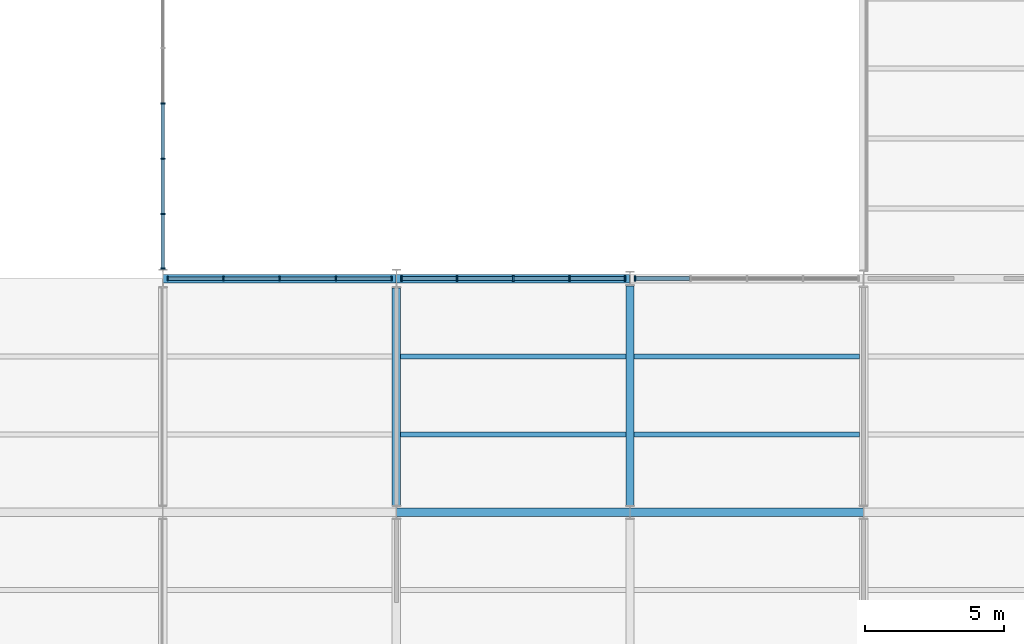
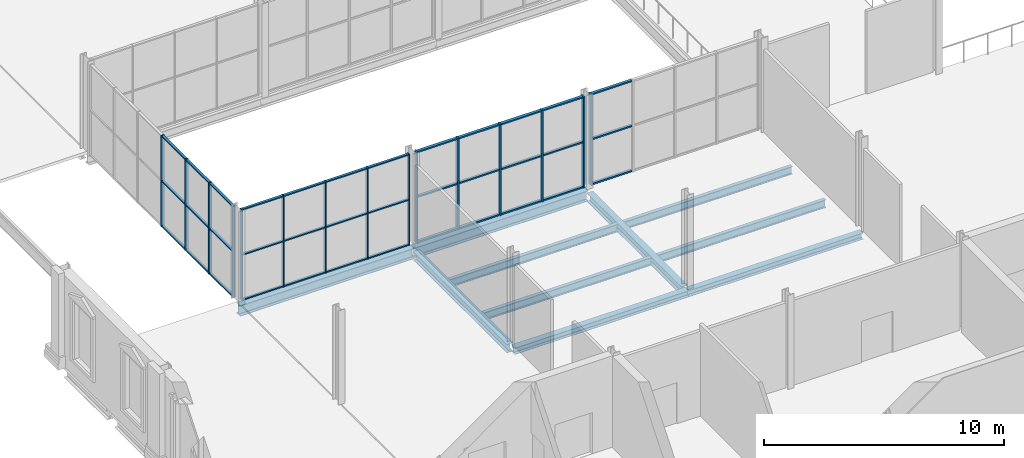
# One storey, part 10 of 61: 51 members, 10 beams, 4 elements without a shape of their own.
"""IFC4 building model written with IfcOpenShell, lengths in metres."""

from ifc_helpers import new_model, si_unit, direction, frame, origin, origin_2d, place, context, subcontext, project, spatial, rectangle, i_section, extrude, material, layer, layer_set, material_profile, profile_set, type_object, element, aggregate, save


model = new_model("IFC4")

# Units and contexts
model_context = context("Model", 3, precision=1e-05, world=origin(), true_north=direction((0.0, 1.0)))
body_context = subcontext(model_context, "Body", "Model", "MODEL_VIEW")
ifc_project = project(units=[si_unit("LENGTHUNIT", "METRE"), si_unit("AREAUNIT", "SQUARE_METRE"), si_unit("VOLUMEUNIT", "CUBIC_METRE"), si_unit("PLANEANGLEUNIT", "RADIAN"), si_unit("MASSUNIT", "GRAM", prefix="KILO")], contexts=[model_context])

# Site, building, storey
site_placement = place(None, origin())
site = spatial("IfcSite", under=ifc_project, at=site_placement, CompositionType="ELEMENT")
building_placement = place(site_placement, origin())
building = spatial("IfcBuilding", under=site, at=building_placement, Name="Galleria Vessillo Department Store", CompositionType="ELEMENT")
storey_placement = place(building_placement, frame((0.0, 0.0, 11.39990234375)))
storey = spatial("IfcBuildingStorey", under=building, at=storey_placement, Name="L02", CompositionType="ELEMENT", Elevation=11.39990234375)

# Curtain wall, members
ifc_material_1 = material(Name="Aluminium and glass curtain wall", Category="aluminium")
ifc_layer_1 = layer(ifc_material_1, 0.159912109375)
ifc_layer_set_1 = layer_set([ifc_layer_1], Name="Aluminium and glass curtain wall")
curtain_wall_type_1 = type_object("IfcCurtainWallType", Name="Arcade portal glazing CW2 2100 module", PredefinedType="NOTDEFINED", material=ifc_layer_set_1)
curtain_wall_1_placement = place(storey_placement, origin())
curtain_wall_1 = element("IfcCurtainWall", 1, at=curtain_wall_1_placement, inside=storey, type_object=curtain_wall_type_1, Name="Arcade portal glazing CW2 2100 module PW-W-S-L02-01", PredefinedType="NOTDEFINED")
ifc_material_2 = material(Name="Aluminium alloy 6063 T6", Category="aluminium")
ifc_material_profile_1 = material_profile(ifc_material_2, rectangle(XDim=0.159912109375, YDim=0.050048828125, at=origin_2d()), Name="AL 50x160")
ifc_profile_set_1 = profile_set([ifc_material_profile_1], Name="Aluminium alloy 6063 T6")
member_type_1 = type_object("IfcMemberType", Name="Aluminium mullion 50 x 160", PredefinedType="MULLION", material=ifc_profile_set_1)
member_1_placement = place(storey_placement, frame((8.577392578125, 25.199951171875, 0.0), z_axis=(0.0, 0.0, 1.0), x_axis=(0.0, 1.0, 0.0)))
member_1 = element("IfcMember", 2, at=member_1_placement, type_object=member_type_1, Name="CW2 mullion 1", PredefinedType="MULLION", context=body_context, shape_type="SweptSolid", body=[
    extrude(rectangle(XDim=0.159912109375, YDim=0.050048828125, at=origin_2d()), origin(), (0.0, 0.0, 1.0), 4.650146484375),
])
member_2_placement = place(storey_placement, frame((10.576171875, 25.199951171875, 0.0), z_axis=(0.0, 0.0, 1.0), x_axis=(0.0, 1.0, 0.0)))
member_2 = element("IfcMember", 3, at=member_2_placement, type_object=member_type_1, Name="CW2 mullion 2", PredefinedType="MULLION", context=body_context, shape_type="SweptSolid", body=[
    extrude(rectangle(XDim=0.159912109375, YDim=0.050048828125, at=origin_2d()), origin(), (0.0, 0.0, 1.0), 4.650146484375),
])
member_3_placement = place(storey_placement, frame((12.60009765625, 25.199951171875, 0.0), z_axis=(0.0, 0.0, 1.0), x_axis=(0.0, 1.0, 0.0)))
member_3 = element("IfcMember", 4, at=member_3_placement, type_object=member_type_1, Name="CW2 mullion 3", PredefinedType="MULLION", context=body_context, shape_type="SweptSolid", body=[
    extrude(rectangle(XDim=0.159912109375, YDim=0.050048828125, at=origin_2d()), origin(), (0.0, 0.0, 1.0), 4.650146484375),
])
member_4_placement = place(storey_placement, frame((14.623779296875, 25.199951171875, 0.0), z_axis=(0.0, 0.0, 1.0), x_axis=(0.0, 1.0, 0.0)))
member_4 = element("IfcMember", 5, at=member_4_placement, type_object=member_type_1, Name="CW2 mullion 4", PredefinedType="MULLION", context=body_context, shape_type="SweptSolid", body=[
    extrude(rectangle(XDim=0.159912109375, YDim=0.050048828125, at=origin_2d()), origin(), (0.0, 0.0, 1.0), 4.650146484375),
])
member_5_placement = place(storey_placement, frame((16.62255859375, 25.199951171875, 0.0), z_axis=(0.0, 0.0, 1.0), x_axis=(0.0, 1.0, 0.0)))
member_5 = element("IfcMember", 6, at=member_5_placement, type_object=member_type_1, Name="CW2 mullion 5", PredefinedType="MULLION", context=body_context, shape_type="SweptSolid", body=[
    extrude(rectangle(XDim=0.159912109375, YDim=0.050048828125, at=origin_2d()), origin(), (0.0, 0.0, 1.0), 4.650146484375),
])

curtain_wall_2_placement = place(storey_placement, origin())
curtain_wall_2 = element("IfcCurtainWall", 7, at=curtain_wall_2_placement, inside=storey, type_object=curtain_wall_type_1, Name="Arcade portal glazing CW2 2100 module SCR-W-L02-01", PredefinedType="NOTDEFINED")
member_6_placement = place(storey_placement, frame((8.39990234375, 25.558837890625, 0.0), z_axis=(0.0, 0.0, 1.0), x_axis=(-1.0, 0.0, 0.0)))
member_6 = element("IfcMember", 8, at=member_6_placement, type_object=member_type_1, Name="CW2 mullion 1", PredefinedType="MULLION", context=body_context, shape_type="SweptSolid", body=[
    extrude(rectangle(XDim=0.159912109375, YDim=0.050048828125, at=origin_2d()), origin(), (0.0, 0.0, 1.0), 4.650146484375),
])
member_7_placement = place(storey_placement, frame((8.39990234375, 27.522705078125, 0.0), z_axis=(0.0, 0.0, 1.0), x_axis=(-1.0, 0.0, 0.0)))
member_7 = element("IfcMember", 9, at=member_7_placement, type_object=member_type_1, Name="CW2 mullion 2", PredefinedType="MULLION", context=body_context, shape_type="SweptSolid", body=[
    extrude(rectangle(XDim=0.159912109375, YDim=0.050048828125, at=origin_2d()), origin(), (0.0, 0.0, 1.0), 4.650146484375),
])
member_8_placement = place(storey_placement, frame((8.39990234375, 29.51123046875, 0.0), z_axis=(0.0, 0.0, 1.0), x_axis=(-1.0, 0.0, 0.0)))
member_8 = element("IfcMember", 10, at=member_8_placement, type_object=member_type_1, Name="CW2 mullion 3", PredefinedType="MULLION", context=body_context, shape_type="SweptSolid", body=[
    extrude(rectangle(XDim=0.159912109375, YDim=0.050048828125, at=origin_2d()), origin(), (0.0, 0.0, 1.0), 4.650146484375),
])
member_9_placement = place(storey_placement, frame((8.39990234375, 31.5, 0.0), z_axis=(0.0, 0.0, 1.0), x_axis=(-1.0, 0.0, 0.0)))
member_9 = element("IfcMember", 11, at=member_9_placement, type_object=member_type_1, Name="CW2 mullion 4", PredefinedType="MULLION", context=body_context, shape_type="SweptSolid", body=[
    extrude(rectangle(XDim=0.159912109375, YDim=0.050048828125, at=origin_2d()), origin(), (0.0, 0.0, 1.0), 4.650146484375),
])

ifc_material_3 = material(Name="Aluminium and glass curtain wall", Category="aluminium")
ifc_layer_2 = layer(ifc_material_3, 0.199951171875)
ifc_layer_set_2 = layer_set([ifc_layer_2], Name="Aluminium and glass curtain wall")
curtain_wall_type_2 = type_object("IfcCurtainWallType", Name="Arcade curtain wall CW1 2100 module", PredefinedType="NOTDEFINED", material=ifc_layer_set_2)
curtain_wall_3_placement = place(storey_placement, origin())
curtain_wall_3 = element("IfcCurtainWall", 12, at=curtain_wall_3_placement, inside=storey, type_object=curtain_wall_type_2, Name="Arcade curtain wall CW1 2100 module AI-AW-S-L02-01", PredefinedType="NOTDEFINED")
ifc_material_4 = material(Name="Aluminium alloy 6063 T6", Category="aluminium")
ifc_material_profile_2 = material_profile(ifc_material_4, rectangle(XDim=0.199951171875, YDim=0.06005859375, at=origin_2d()), Name="AL 60x200")
ifc_profile_set_2 = profile_set([ifc_material_profile_2], Name="Aluminium alloy 6063 T6")
member_type_2 = type_object("IfcMemberType", Name="Aluminium mullion 60 x 200", PredefinedType="MULLION", material=ifc_profile_set_2)
member_10_placement = place(storey_placement, frame((16.982666015625, 25.199951171875, 0.0), z_axis=(0.0, 0.0, 1.0), x_axis=(0.0, 1.0, 0.0)))
member_10 = element("IfcMember", 13, at=member_10_placement, type_object=member_type_2, Name="CW1 mullion 1", PredefinedType="MULLION", context=body_context, shape_type="SweptSolid", body=[
    extrude(rectangle(XDim=0.199951171875, YDim=0.06005859375, at=origin_2d()), origin(), (0.0, 0.0, 1.0), 4.650146484375),
])
member_11_placement = place(storey_placement, frame((18.97607421875, 25.199951171875, 0.0), z_axis=(0.0, 0.0, 1.0), x_axis=(0.0, 1.0, 0.0)))
member_11 = element("IfcMember", 14, at=member_11_placement, type_object=member_type_2, Name="CW1 mullion 2", PredefinedType="MULLION", context=body_context, shape_type="SweptSolid", body=[
    extrude(rectangle(XDim=0.199951171875, YDim=0.06005859375, at=origin_2d()), origin(), (0.0, 0.0, 1.0), 4.650146484375),
])
member_12_placement = place(storey_placement, frame((20.999755859375, 25.199951171875, 0.0), z_axis=(0.0, 0.0, 1.0), x_axis=(0.0, 1.0, 0.0)))
member_12 = element("IfcMember", 15, at=member_12_placement, type_object=member_type_2, Name="CW1 mullion 3", PredefinedType="MULLION", context=body_context, shape_type="SweptSolid", body=[
    extrude(rectangle(XDim=0.199951171875, YDim=0.06005859375, at=origin_2d()), origin(), (0.0, 0.0, 1.0), 4.650146484375),
])
member_13_placement = place(storey_placement, frame((23.0234375, 25.199951171875, 0.0), z_axis=(0.0, 0.0, 1.0), x_axis=(0.0, 1.0, 0.0)))
member_13 = element("IfcMember", 16, at=member_13_placement, type_object=member_type_2, Name="CW1 mullion 4", PredefinedType="MULLION", context=body_context, shape_type="SweptSolid", body=[
    extrude(rectangle(XDim=0.199951171875, YDim=0.06005859375, at=origin_2d()), origin(), (0.0, 0.0, 1.0), 4.650146484375),
])
member_14_placement = place(storey_placement, frame((25.016845703125, 25.199951171875, 0.0), z_axis=(0.0, 0.0, 1.0), x_axis=(0.0, 1.0, 0.0)))
member_14 = element("IfcMember", 17, at=member_14_placement, type_object=member_type_2, Name="CW1 mullion 5", PredefinedType="MULLION", context=body_context, shape_type="SweptSolid", body=[
    extrude(rectangle(XDim=0.199951171875, YDim=0.06005859375, at=origin_2d()), origin(), (0.0, 0.0, 1.0), 4.650146484375),
])

# Curtain wall, member
curtain_wall_4_placement = place(storey_placement, origin())
curtain_wall_4 = element("IfcCurtainWall", 18, at=curtain_wall_4_placement, inside=storey, type_object=curtain_wall_type_2, Name="Arcade curtain wall CW1 2100 module AI-AW-S-L02-02", PredefinedType="NOTDEFINED")
member_15_placement = place(storey_placement, frame((25.383056640625, 25.199951171875, 0.0), z_axis=(0.0, 0.0, 1.0), x_axis=(0.0, 1.0, 0.0)))
member_15 = element("IfcMember", 19, at=member_15_placement, type_object=member_type_2, Name="CW1 mullion 1", PredefinedType="MULLION", context=body_context, shape_type="SweptSolid", body=[
    extrude(rectangle(XDim=0.199951171875, YDim=0.06005859375, at=origin_2d()), origin(), (0.0, 0.0, 1.0), 4.650146484375),
])

# Member
ifc_material_5 = material(Name="Aluminium alloy 6063 T6", Category="aluminium")
ifc_material_profile_3 = material_profile(ifc_material_5, rectangle(XDim=0.1201171875, YDim=0.06005859375, at=origin_2d()), Name="AL 60x120")
ifc_profile_set_3 = profile_set([ifc_material_profile_3], Name="Aluminium alloy 6063 T6")
member_type_3 = type_object("IfcMemberType", Name="Aluminium transom 60 x 120", PredefinedType="USERDEFINED", material=ifc_profile_set_3)
member_16_placement = place(storey_placement, frame((8.6025390625, 25.199951171875, 0.030029296875), z_axis=(1.0, 0.0, 0.0), x_axis=(0.0, 1.0, 0.0)))
member_16 = element("IfcMember", 20, at=member_16_placement, type_object=member_type_3, Name="CW2 transom 1.1", ObjectType="TRANSOM", PredefinedType="USERDEFINED", context=body_context, shape_type="SweptSolid", body=[
    extrude(rectangle(XDim=0.1201171875, YDim=0.06005859375, at=origin_2d()), origin(), (0.0, 0.0, 1.0), 1.94873046875),
])

member_17_placement = place(storey_placement, frame((8.6025390625, 25.199951171875, 2.3251953125), z_axis=(1.0, 0.0, 0.0), x_axis=(0.0, 1.0, 0.0)))
member_17 = element("IfcMember", 21, at=member_17_placement, type_object=member_type_3, Name="CW2 transom 1.2", ObjectType="TRANSOM", PredefinedType="USERDEFINED", context=body_context, shape_type="SweptSolid", body=[
    extrude(rectangle(XDim=0.1201171875, YDim=0.06005859375, at=origin_2d()), origin(), (0.0, 0.0, 1.0), 1.94873046875),
])

member_18_placement = place(storey_placement, frame((8.6025390625, 25.199951171875, 4.6201171875), z_axis=(1.0, 0.0, 0.0), x_axis=(0.0, 1.0, 0.0)))
member_18 = element("IfcMember", 22, at=member_18_placement, type_object=member_type_3, Name="CW2 transom 1.3", ObjectType="TRANSOM", PredefinedType="USERDEFINED", context=body_context, shape_type="SweptSolid", body=[
    extrude(rectangle(XDim=0.1201171875, YDim=0.06005859375, at=origin_2d()), origin(), (0.0, 0.0, 1.0), 1.94873046875),
])

member_19_placement = place(storey_placement, frame((10.601318359375, 25.199951171875, 0.030029296875), z_axis=(1.0, 0.0, 0.0), x_axis=(0.0, 1.0, 0.0)))
member_19 = element("IfcMember", 23, at=member_19_placement, type_object=member_type_3, Name="CW2 transom 2.1", ObjectType="TRANSOM", PredefinedType="USERDEFINED", context=body_context, shape_type="SweptSolid", body=[
    extrude(rectangle(XDim=0.1201171875, YDim=0.06005859375, at=origin_2d()), origin(), (0.0, 0.0, 1.0), 1.9736328125),
])

member_20_placement = place(storey_placement, frame((10.601318359375, 25.199951171875, 2.3251953125), z_axis=(1.0, 0.0, 0.0), x_axis=(0.0, 1.0, 0.0)))
member_20 = element("IfcMember", 24, at=member_20_placement, type_object=member_type_3, Name="CW2 transom 2.2", ObjectType="TRANSOM", PredefinedType="USERDEFINED", context=body_context, shape_type="SweptSolid", body=[
    extrude(rectangle(XDim=0.1201171875, YDim=0.06005859375, at=origin_2d()), origin(), (0.0, 0.0, 1.0), 1.9736328125),
])

member_21_placement = place(storey_placement, frame((10.601318359375, 25.199951171875, 4.6201171875), z_axis=(1.0, 0.0, 0.0), x_axis=(0.0, 1.0, 0.0)))
member_21 = element("IfcMember", 25, at=member_21_placement, type_object=member_type_3, Name="CW2 transom 2.3", ObjectType="TRANSOM", PredefinedType="USERDEFINED", context=body_context, shape_type="SweptSolid", body=[
    extrude(rectangle(XDim=0.1201171875, YDim=0.06005859375, at=origin_2d()), origin(), (0.0, 0.0, 1.0), 1.9736328125),
])

member_22_placement = place(storey_placement, frame((12.625, 25.199951171875, 0.030029296875), z_axis=(1.0, 0.0, 0.0), x_axis=(0.0, 1.0, 0.0)))
member_22 = element("IfcMember", 26, at=member_22_placement, type_object=member_type_3, Name="CW2 transom 3.1", ObjectType="TRANSOM", PredefinedType="USERDEFINED", context=body_context, shape_type="SweptSolid", body=[
    extrude(rectangle(XDim=0.1201171875, YDim=0.06005859375, at=origin_2d()), origin(), (0.0, 0.0, 1.0), 1.9736328125),
])

member_23_placement = place(storey_placement, frame((12.625, 25.199951171875, 2.3251953125), z_axis=(1.0, 0.0, 0.0), x_axis=(0.0, 1.0, 0.0)))
member_23 = element("IfcMember", 27, at=member_23_placement, type_object=member_type_3, Name="CW2 transom 3.2", ObjectType="TRANSOM", PredefinedType="USERDEFINED", context=body_context, shape_type="SweptSolid", body=[
    extrude(rectangle(XDim=0.1201171875, YDim=0.06005859375, at=origin_2d()), origin(), (0.0, 0.0, 1.0), 1.9736328125),
])

member_24_placement = place(storey_placement, frame((12.625, 25.199951171875, 4.6201171875), z_axis=(1.0, 0.0, 0.0), x_axis=(0.0, 1.0, 0.0)))
member_24 = element("IfcMember", 28, at=member_24_placement, type_object=member_type_3, Name="CW2 transom 3.3", ObjectType="TRANSOM", PredefinedType="USERDEFINED", context=body_context, shape_type="SweptSolid", body=[
    extrude(rectangle(XDim=0.1201171875, YDim=0.06005859375, at=origin_2d()), origin(), (0.0, 0.0, 1.0), 1.9736328125),
])

member_25_placement = place(storey_placement, frame((14.648681640625, 25.199951171875, 0.030029296875), z_axis=(1.0, 0.0, 0.0), x_axis=(0.0, 1.0, 0.0)))
member_25 = element("IfcMember", 29, at=member_25_placement, type_object=member_type_3, Name="CW2 transom 4.1", ObjectType="TRANSOM", PredefinedType="USERDEFINED", context=body_context, shape_type="SweptSolid", body=[
    extrude(rectangle(XDim=0.1201171875, YDim=0.06005859375, at=origin_2d()), origin(), (0.0, 0.0, 1.0), 1.94873046875),
])

member_26_placement = place(storey_placement, frame((14.648681640625, 25.199951171875, 2.3251953125), z_axis=(1.0, 0.0, 0.0), x_axis=(0.0, 1.0, 0.0)))
member_26 = element("IfcMember", 30, at=member_26_placement, type_object=member_type_3, Name="CW2 transom 4.2", ObjectType="TRANSOM", PredefinedType="USERDEFINED", context=body_context, shape_type="SweptSolid", body=[
    extrude(rectangle(XDim=0.1201171875, YDim=0.06005859375, at=origin_2d()), origin(), (0.0, 0.0, 1.0), 1.94873046875),
])

member_27_placement = place(storey_placement, frame((14.648681640625, 25.199951171875, 4.6201171875), z_axis=(1.0, 0.0, 0.0), x_axis=(0.0, 1.0, 0.0)))
member_27 = element("IfcMember", 31, at=member_27_placement, type_object=member_type_3, Name="CW2 transom 4.3", ObjectType="TRANSOM", PredefinedType="USERDEFINED", context=body_context, shape_type="SweptSolid", body=[
    extrude(rectangle(XDim=0.1201171875, YDim=0.06005859375, at=origin_2d()), origin(), (0.0, 0.0, 1.0), 1.94873046875),
])

aggregate(curtain_wall_1, [member_1, member_2, member_3, member_4, member_5, member_16, member_17, member_18, member_19, member_20, member_21, member_22, member_23, member_24, member_25, member_26, member_27])

member_28_placement = place(storey_placement, frame((8.39990234375, 25.583984375, 0.030029296875), z_axis=(0.0, 1.0, 0.0), x_axis=(-1.0, 0.0, 0.0)))
member_28 = element("IfcMember", 32, at=member_28_placement, type_object=member_type_3, Name="CW2 transom 1.1", ObjectType="TRANSOM", PredefinedType="USERDEFINED", context=body_context, shape_type="SweptSolid", body=[
    extrude(rectangle(XDim=0.1201171875, YDim=0.06005859375, at=origin_2d()), origin(), (0.0, 0.0, 1.0), 1.91357421875),
])

member_29_placement = place(storey_placement, frame((8.39990234375, 25.583984375, 2.3251953125), z_axis=(0.0, 1.0, 0.0), x_axis=(-1.0, 0.0, 0.0)))
member_29 = element("IfcMember", 33, at=member_29_placement, type_object=member_type_3, Name="CW2 transom 1.2", ObjectType="TRANSOM", PredefinedType="USERDEFINED", context=body_context, shape_type="SweptSolid", body=[
    extrude(rectangle(XDim=0.1201171875, YDim=0.06005859375, at=origin_2d()), origin(), (0.0, 0.0, 1.0), 1.91357421875),
])

member_30_placement = place(storey_placement, frame((8.39990234375, 25.583984375, 4.6201171875), z_axis=(0.0, 1.0, 0.0), x_axis=(-1.0, 0.0, 0.0)))
member_30 = element("IfcMember", 34, at=member_30_placement, type_object=member_type_3, Name="CW2 transom 1.3", ObjectType="TRANSOM", PredefinedType="USERDEFINED", context=body_context, shape_type="SweptSolid", body=[
    extrude(rectangle(XDim=0.1201171875, YDim=0.06005859375, at=origin_2d()), origin(), (0.0, 0.0, 1.0), 1.91357421875),
])

member_31_placement = place(storey_placement, frame((8.39990234375, 27.547607421875, 0.030029296875), z_axis=(0.0, 1.0, 0.0), x_axis=(-1.0, 0.0, 0.0)))
member_31 = element("IfcMember", 35, at=member_31_placement, type_object=member_type_3, Name="CW2 transom 2.1", ObjectType="TRANSOM", PredefinedType="USERDEFINED", context=body_context, shape_type="SweptSolid", body=[
    extrude(rectangle(XDim=0.1201171875, YDim=0.06005859375, at=origin_2d()), origin(), (0.0, 0.0, 1.0), 1.938720703125),
])

member_32_placement = place(storey_placement, frame((8.39990234375, 27.547607421875, 2.3251953125), z_axis=(0.0, 1.0, 0.0), x_axis=(-1.0, 0.0, 0.0)))
member_32 = element("IfcMember", 36, at=member_32_placement, type_object=member_type_3, Name="CW2 transom 2.2", ObjectType="TRANSOM", PredefinedType="USERDEFINED", context=body_context, shape_type="SweptSolid", body=[
    extrude(rectangle(XDim=0.1201171875, YDim=0.06005859375, at=origin_2d()), origin(), (0.0, 0.0, 1.0), 1.938720703125),
])

member_33_placement = place(storey_placement, frame((8.39990234375, 27.547607421875, 4.6201171875), z_axis=(0.0, 1.0, 0.0), x_axis=(-1.0, 0.0, 0.0)))
member_33 = element("IfcMember", 37, at=member_33_placement, type_object=member_type_3, Name="CW2 transom 2.3", ObjectType="TRANSOM", PredefinedType="USERDEFINED", context=body_context, shape_type="SweptSolid", body=[
    extrude(rectangle(XDim=0.1201171875, YDim=0.06005859375, at=origin_2d()), origin(), (0.0, 0.0, 1.0), 1.938720703125),
])

member_34_placement = place(storey_placement, frame((8.39990234375, 29.536376953125, 0.030029296875), z_axis=(0.0, 1.0, 0.0), x_axis=(-1.0, 0.0, 0.0)))
member_34 = element("IfcMember", 38, at=member_34_placement, type_object=member_type_3, Name="CW2 transom 3.1", ObjectType="TRANSOM", PredefinedType="USERDEFINED", context=body_context, shape_type="SweptSolid", body=[
    extrude(rectangle(XDim=0.1201171875, YDim=0.06005859375, at=origin_2d()), origin(), (0.0, 0.0, 1.0), 1.938720703125),
])

member_35_placement = place(storey_placement, frame((8.39990234375, 29.536376953125, 2.3251953125), z_axis=(0.0, 1.0, 0.0), x_axis=(-1.0, 0.0, 0.0)))
member_35 = element("IfcMember", 39, at=member_35_placement, type_object=member_type_3, Name="CW2 transom 3.2", ObjectType="TRANSOM", PredefinedType="USERDEFINED", context=body_context, shape_type="SweptSolid", body=[
    extrude(rectangle(XDim=0.1201171875, YDim=0.06005859375, at=origin_2d()), origin(), (0.0, 0.0, 1.0), 1.938720703125),
])

member_36_placement = place(storey_placement, frame((8.39990234375, 29.536376953125, 4.6201171875), z_axis=(0.0, 1.0, 0.0), x_axis=(-1.0, 0.0, 0.0)))
member_36 = element("IfcMember", 40, at=member_36_placement, type_object=member_type_3, Name="CW2 transom 3.3", ObjectType="TRANSOM", PredefinedType="USERDEFINED", context=body_context, shape_type="SweptSolid", body=[
    extrude(rectangle(XDim=0.1201171875, YDim=0.06005859375, at=origin_2d()), origin(), (0.0, 0.0, 1.0), 1.938720703125),
])

aggregate(curtain_wall_2, [member_6, member_7, member_8, member_9, member_28, member_29, member_30, member_31, member_32, member_33, member_34, member_35, member_36])

ifc_material_6 = material(Name="Aluminium alloy 6063 T6", Category="aluminium")
ifc_material_profile_4 = material_profile(ifc_material_6, rectangle(XDim=0.139892578125, YDim=0.070068359375, at=origin_2d()), Name="AL 70x140")
ifc_profile_set_4 = profile_set([ifc_material_profile_4], Name="Aluminium alloy 6063 T6")
member_type_4 = type_object("IfcMemberType", Name="Aluminium transom 70 x 140", PredefinedType="USERDEFINED", material=ifc_profile_set_4)
member_37_placement = place(storey_placement, frame((17.0126953125, 25.199951171875, 0.034912109375), z_axis=(1.0, 0.0, 0.0), x_axis=(0.0, 1.0, 0.0)))
member_37 = element("IfcMember", 41, at=member_37_placement, type_object=member_type_4, Name="CW1 transom 1.1", ObjectType="TRANSOM", PredefinedType="USERDEFINED", context=body_context, shape_type="SweptSolid", body=[
    extrude(rectangle(XDim=0.139892578125, YDim=0.070068359375, at=origin_2d()), origin(), (0.0, 0.0, 1.0), 1.93359375),
])

member_38_placement = place(storey_placement, frame((17.0126953125, 25.199951171875, 2.3251953125), z_axis=(1.0, 0.0, 0.0), x_axis=(0.0, 1.0, 0.0)))
member_38 = element("IfcMember", 42, at=member_38_placement, type_object=member_type_4, Name="CW1 transom 1.2", ObjectType="TRANSOM", PredefinedType="USERDEFINED", context=body_context, shape_type="SweptSolid", body=[
    extrude(rectangle(XDim=0.139892578125, YDim=0.070068359375, at=origin_2d()), origin(), (0.0, 0.0, 1.0), 1.93359375),
])

member_39_placement = place(storey_placement, frame((17.0126953125, 25.199951171875, 4.615234375), z_axis=(1.0, 0.0, 0.0), x_axis=(0.0, 1.0, 0.0)))
member_39 = element("IfcMember", 43, at=member_39_placement, type_object=member_type_4, Name="CW1 transom 1.3", ObjectType="TRANSOM", PredefinedType="USERDEFINED", context=body_context, shape_type="SweptSolid", body=[
    extrude(rectangle(XDim=0.139892578125, YDim=0.070068359375, at=origin_2d()), origin(), (0.0, 0.0, 1.0), 1.93359375),
])

member_40_placement = place(storey_placement, frame((19.006103515625, 25.199951171875, 0.034912109375), z_axis=(1.0, 0.0, 0.0), x_axis=(0.0, 1.0, 0.0)))
member_40 = element("IfcMember", 44, at=member_40_placement, type_object=member_type_4, Name="CW1 transom 2.1", ObjectType="TRANSOM", PredefinedType="USERDEFINED", context=body_context, shape_type="SweptSolid", body=[
    extrude(rectangle(XDim=0.139892578125, YDim=0.070068359375, at=origin_2d()), origin(), (0.0, 0.0, 1.0), 1.963623046875),
])

member_41_placement = place(storey_placement, frame((19.006103515625, 25.199951171875, 2.3251953125), z_axis=(1.0, 0.0, 0.0), x_axis=(0.0, 1.0, 0.0)))
member_41 = element("IfcMember", 45, at=member_41_placement, type_object=member_type_4, Name="CW1 transom 2.2", ObjectType="TRANSOM", PredefinedType="USERDEFINED", context=body_context, shape_type="SweptSolid", body=[
    extrude(rectangle(XDim=0.139892578125, YDim=0.070068359375, at=origin_2d()), origin(), (0.0, 0.0, 1.0), 1.963623046875),
])

member_42_placement = place(storey_placement, frame((19.006103515625, 25.199951171875, 4.615234375), z_axis=(1.0, 0.0, 0.0), x_axis=(0.0, 1.0, 0.0)))
member_42 = element("IfcMember", 46, at=member_42_placement, type_object=member_type_4, Name="CW1 transom 2.3", ObjectType="TRANSOM", PredefinedType="USERDEFINED", context=body_context, shape_type="SweptSolid", body=[
    extrude(rectangle(XDim=0.139892578125, YDim=0.070068359375, at=origin_2d()), origin(), (0.0, 0.0, 1.0), 1.963623046875),
])

member_43_placement = place(storey_placement, frame((21.02978515625, 25.199951171875, 0.034912109375), z_axis=(1.0, 0.0, 0.0), x_axis=(0.0, 1.0, 0.0)))
member_43 = element("IfcMember", 47, at=member_43_placement, type_object=member_type_4, Name="CW1 transom 3.1", ObjectType="TRANSOM", PredefinedType="USERDEFINED", context=body_context, shape_type="SweptSolid", body=[
    extrude(rectangle(XDim=0.139892578125, YDim=0.070068359375, at=origin_2d()), origin(), (0.0, 0.0, 1.0), 1.963623046875),
])

member_44_placement = place(storey_placement, frame((21.02978515625, 25.199951171875, 2.3251953125), z_axis=(1.0, 0.0, 0.0), x_axis=(0.0, 1.0, 0.0)))
member_44 = element("IfcMember", 48, at=member_44_placement, type_object=member_type_4, Name="CW1 transom 3.2", ObjectType="TRANSOM", PredefinedType="USERDEFINED", context=body_context, shape_type="SweptSolid", body=[
    extrude(rectangle(XDim=0.139892578125, YDim=0.070068359375, at=origin_2d()), origin(), (0.0, 0.0, 1.0), 1.963623046875),
])

member_45_placement = place(storey_placement, frame((21.02978515625, 25.199951171875, 4.615234375), z_axis=(1.0, 0.0, 0.0), x_axis=(0.0, 1.0, 0.0)))
member_45 = element("IfcMember", 49, at=member_45_placement, type_object=member_type_4, Name="CW1 transom 3.3", ObjectType="TRANSOM", PredefinedType="USERDEFINED", context=body_context, shape_type="SweptSolid", body=[
    extrude(rectangle(XDim=0.139892578125, YDim=0.070068359375, at=origin_2d()), origin(), (0.0, 0.0, 1.0), 1.963623046875),
])

member_46_placement = place(storey_placement, frame((23.05322265625, 25.199951171875, 0.034912109375), z_axis=(1.0, 0.0, 0.0), x_axis=(0.0, 1.0, 0.0)))
member_46 = element("IfcMember", 50, at=member_46_placement, type_object=member_type_4, Name="CW1 transom 4.1", ObjectType="TRANSOM", PredefinedType="USERDEFINED", context=body_context, shape_type="SweptSolid", body=[
    extrude(rectangle(XDim=0.139892578125, YDim=0.070068359375, at=origin_2d()), origin(), (0.0, 0.0, 1.0), 1.93359375),
])

member_47_placement = place(storey_placement, frame((23.05322265625, 25.199951171875, 2.3251953125), z_axis=(1.0, 0.0, 0.0), x_axis=(0.0, 1.0, 0.0)))
member_47 = element("IfcMember", 51, at=member_47_placement, type_object=member_type_4, Name="CW1 transom 4.2", ObjectType="TRANSOM", PredefinedType="USERDEFINED", context=body_context, shape_type="SweptSolid", body=[
    extrude(rectangle(XDim=0.139892578125, YDim=0.070068359375, at=origin_2d()), origin(), (0.0, 0.0, 1.0), 1.93359375),
])

member_48_placement = place(storey_placement, frame((23.05322265625, 25.199951171875, 4.615234375), z_axis=(1.0, 0.0, 0.0), x_axis=(0.0, 1.0, 0.0)))
member_48 = element("IfcMember", 52, at=member_48_placement, type_object=member_type_4, Name="CW1 transom 4.3", ObjectType="TRANSOM", PredefinedType="USERDEFINED", context=body_context, shape_type="SweptSolid", body=[
    extrude(rectangle(XDim=0.139892578125, YDim=0.070068359375, at=origin_2d()), origin(), (0.0, 0.0, 1.0), 1.93359375),
])

aggregate(curtain_wall_3, [member_10, member_11, member_12, member_13, member_14, member_37, member_38, member_39, member_40, member_41, member_42, member_43, member_44, member_45, member_46, member_47, member_48])

member_49_placement = place(storey_placement, frame((25.4130859375, 25.199951171875, 0.034912109375), z_axis=(1.0, 0.0, 0.0), x_axis=(0.0, 1.0, 0.0)))
member_49 = element("IfcMember", 53, at=member_49_placement, type_object=member_type_4, Name="CW1 transom 1.1", ObjectType="TRANSOM", PredefinedType="USERDEFINED", context=body_context, shape_type="SweptSolid", body=[
    extrude(rectangle(XDim=0.139892578125, YDim=0.070068359375, at=origin_2d()), origin(), (0.0, 0.0, 1.0), 1.93359375),
])

member_50_placement = place(storey_placement, frame((25.4130859375, 25.199951171875, 2.3251953125), z_axis=(1.0, 0.0, 0.0), x_axis=(0.0, 1.0, 0.0)))
member_50 = element("IfcMember", 54, at=member_50_placement, type_object=member_type_4, Name="CW1 transom 1.2", ObjectType="TRANSOM", PredefinedType="USERDEFINED", context=body_context, shape_type="SweptSolid", body=[
    extrude(rectangle(XDim=0.139892578125, YDim=0.070068359375, at=origin_2d()), origin(), (0.0, 0.0, 1.0), 1.93359375),
])

member_51_placement = place(storey_placement, frame((25.4130859375, 25.199951171875, 4.615234375), z_axis=(1.0, 0.0, 0.0), x_axis=(0.0, 1.0, 0.0)))
member_51 = element("IfcMember", 55, at=member_51_placement, type_object=member_type_4, Name="CW1 transom 1.3", ObjectType="TRANSOM", PredefinedType="USERDEFINED", context=body_context, shape_type="SweptSolid", body=[
    extrude(rectangle(XDim=0.139892578125, YDim=0.070068359375, at=origin_2d()), origin(), (0.0, 0.0, 1.0), 1.93359375),
])

aggregate(curtain_wall_4, [member_15, member_49, member_50, member_51])

# Beams
ifc_material_7 = material(Name="Steel S355 J2", Category="steel")
ifc_material_profile_5 = material_profile(ifc_material_7, i_section(OverallWidth=0.300048828125, OverallDepth=0.43994140625, WebThickness=0.011474609375, FlangeThickness=0.02099609375, FilletRadius=0.027099609375, at=origin_2d()), Name="HEA 450")
ifc_profile_set_5 = profile_set([ifc_material_profile_5], Name="Steel S355 J2")
beam_type_1 = type_object("IfcBeamType", Name="Floor girder HEA 450", PredefinedType="BEAM", material=ifc_profile_set_5)
beam_1_placement = place(storey_placement, frame((16.800048828125, 17.050048828125, -0.369873046875), z_axis=(0.0, 1.0, 0.0), x_axis=(-1.0, 0.0, 0.0)))
element("IfcBeam", 56, at=beam_1_placement, inside=storey, type_object=beam_type_1, Name="S-BM-L02-GI-y16800-17050", PredefinedType="BEAM", context=body_context, shape_type="SweptSolid", body=[
    extrude(i_section(OverallWidth=0.300048828125, OverallDepth=0.43994140625, WebThickness=0.011474609375, FlangeThickness=0.02099609375, FilletRadius=0.027099609375, at=origin_2d()), origin(), (0.0, 0.0, 1.0), 7.81591796875),
])
beam_2_placement = place(storey_placement, frame((25.199951171875, 17.050048828125, -0.369873046875), z_axis=(0.0, 1.0, 0.0), x_axis=(-1.0, 0.0, 0.0)))
element("IfcBeam", 57, at=beam_2_placement, inside=storey, type_object=beam_type_1, Name="S-BM-L02-GI-y25200-17050", PredefinedType="BEAM", context=body_context, shape_type="SweptSolid", body=[
    extrude(i_section(OverallWidth=0.300048828125, OverallDepth=0.43994140625, WebThickness=0.011474609375, FlangeThickness=0.02099609375, FilletRadius=0.027099609375, at=origin_2d()), origin(), (0.0, 0.0, 1.0), 7.887939453125),
])
ifc_material_8 = material(Name="Steel S355 J2", Category="steel")
ifc_material_profile_6 = material_profile(ifc_material_8, i_section(OverallWidth=0.179931640625, OverallDepth=0.39990234375, WebThickness=0.008544921875, FlangeThickness=0.013427734375, FilletRadius=0.02099609375, at=origin_2d()), Name="IPE 400")
ifc_profile_set_6 = profile_set([ifc_material_profile_6], Name="Steel S355 J2")
beam_type_2 = type_object("IfcBeamType", Name="Floor joist IPE 400", PredefinedType="JOIST", material=ifc_profile_set_6)
for number, where, z_axis, x_axis, name in (
    (58, (16.9501953125, 19.60009765625, -0.349853515625), (1.0, 0.0, 0.0), (0.0, 1.0, 0.0), "S-BM-L02-JO-x19600-16950"),
    (59, (16.9501953125, 22.39990234375, -0.349853515625), (1.0, 0.0, 0.0), (0.0, 1.0, 0.0), "S-BM-L02-JO-x22400-16950"),
):
    element("IfcBeam", number, at=place(storey_placement, frame(where, z_axis=z_axis, x_axis=x_axis)), inside=storey, type_object=beam_type_2, Name=name, PredefinedType="JOIST", context=body_context, shape_type="SweptSolid", body=[
        extrude(i_section(OverallWidth=0.179931640625, OverallDepth=0.39990234375, WebThickness=0.008544921875, FlangeThickness=0.013427734375, FilletRadius=0.02099609375, at=origin_2d()), origin(), (0.0, 0.0, 1.0), 8.099609375),
    ])
for number, where, z_axis, x_axis, name in (
    (60, (25.35009765625, 19.60009765625, -0.349853515625), (1.0, 0.0, 0.0), (0.0, 1.0, 0.0), "S-BM-L02-JO-x19600-25350"),
    (61, (25.35009765625, 22.39990234375, -0.349853515625), (1.0, 0.0, 0.0), (0.0, 1.0, 0.0), "S-BM-L02-JO-x22400-25350"),
):
    element("IfcBeam", number, at=place(storey_placement, frame(where, z_axis=z_axis, x_axis=x_axis)), inside=storey, type_object=beam_type_2, Name=name, PredefinedType="JOIST", context=body_context, shape_type="SweptSolid", body=[
        extrude(i_section(OverallWidth=0.179931640625, OverallDepth=0.39990234375, WebThickness=0.008544921875, FlangeThickness=0.013427734375, FilletRadius=0.02099609375, at=origin_2d()), origin(), (0.0, 0.0, 1.0), 8.099853515625),
    ])
ifc_material_9 = material(Name="Steel S355 J2", Category="steel")
ifc_material_profile_7 = material_profile(ifc_material_9, i_section(OverallWidth=0.300048828125, OverallDepth=0.330078125, WebThickness=0.009521484375, FlangeThickness=0.0166015625, FilletRadius=0.027099609375, at=origin_2d()), Name="HEA 340")
ifc_profile_set_7 = profile_set([ifc_material_profile_7], Name="Steel S355 J2")
beam_type_3 = type_object("IfcBeamType", Name="Floor tie girder HEA 340", PredefinedType="BEAM", material=ifc_profile_set_7)
for number, where, z_axis, x_axis, name in (
    (62, (16.807373046875, 16.800048828125, -0.31494140625), (1.0, 0.0, 0.0), (0.0, 1.0, 0.0), "S-BM-L02-TI-x16800-16807"),
    (63, (25.207275390625, 16.800048828125, -0.31494140625), (1.0, 0.0, 0.0), (0.0, 1.0, 0.0), "S-BM-L02-TI-x16800-25207"),
):
    element("IfcBeam", number, at=place(storey_placement, frame(where, z_axis=z_axis, x_axis=x_axis)), inside=storey, type_object=beam_type_3, Name=name, PredefinedType="BEAM", context=body_context, shape_type="SweptSolid", body=[
        extrude(i_section(OverallWidth=0.300048828125, OverallDepth=0.330078125, WebThickness=0.009521484375, FlangeThickness=0.0166015625, FilletRadius=0.027099609375, at=origin_2d()), origin(), (0.0, 0.0, 1.0), 8.38525390625),
    ])
ifc_material_10 = material(Name="Steel S355 J2", Category="steel")
ifc_material_profile_8 = material_profile(ifc_material_10, i_section(OverallWidth=0.300048828125, OverallDepth=0.5400390625, WebThickness=0.012451171875, FlangeThickness=0.02392578125, FilletRadius=0.027099609375, at=origin_2d()), Name="HEA 550")
ifc_profile_set_8 = profile_set([ifc_material_profile_8], Name="Steel S355 J2")
beam_type_4 = type_object("IfcBeamType", Name="Trimmer beam HEA 550", PredefinedType="BEAM", material=ifc_profile_set_8)
beam_3_placement = place(storey_placement, frame((8.41064453125, 25.199951171875, -0.419921875), z_axis=(1.0, 0.0, 0.0), x_axis=(0.0, 1.0, 0.0)))
element("IfcBeam", 64, at=beam_3_placement, inside=storey, type_object=beam_type_4, Name="S-BM-L02-TR-x25200-8411", PredefinedType="BEAM", context=body_context, shape_type="SweptSolid", body=[
    extrude(i_section(OverallWidth=0.300048828125, OverallDepth=0.5400390625, WebThickness=0.012451171875, FlangeThickness=0.02392578125, FilletRadius=0.027099609375, at=origin_2d()), origin(), (0.0, 0.0, 1.0), 8.378662109375),
])
beam_4_placement = place(storey_placement, frame((16.810546875, 25.199951171875, -0.419921875), z_axis=(1.0, 0.0, 0.0), x_axis=(0.0, 1.0, 0.0)))
element("IfcBeam", 65, at=beam_4_placement, inside=storey, type_object=beam_type_4, Name="S-BM-L02-TR-x25200-16811", PredefinedType="BEAM", context=body_context, shape_type="SweptSolid", body=[
    extrude(i_section(OverallWidth=0.300048828125, OverallDepth=0.5400390625, WebThickness=0.012451171875, FlangeThickness=0.02392578125, FilletRadius=0.027099609375, at=origin_2d()), origin(), (0.0, 0.0, 1.0), 8.37890625),
])

save(model, "model.ifc")
